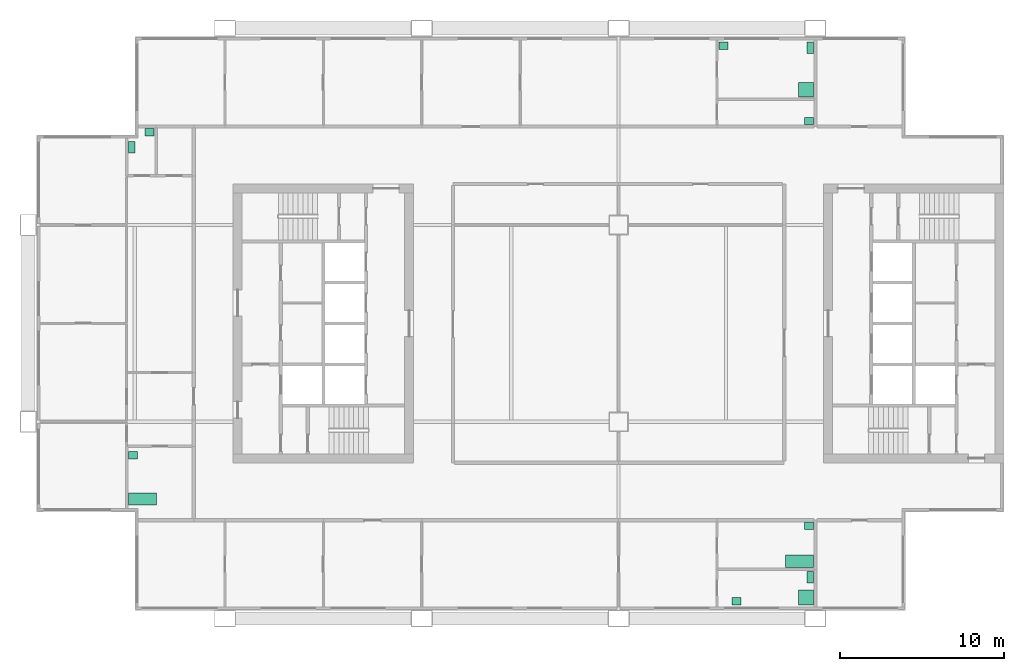
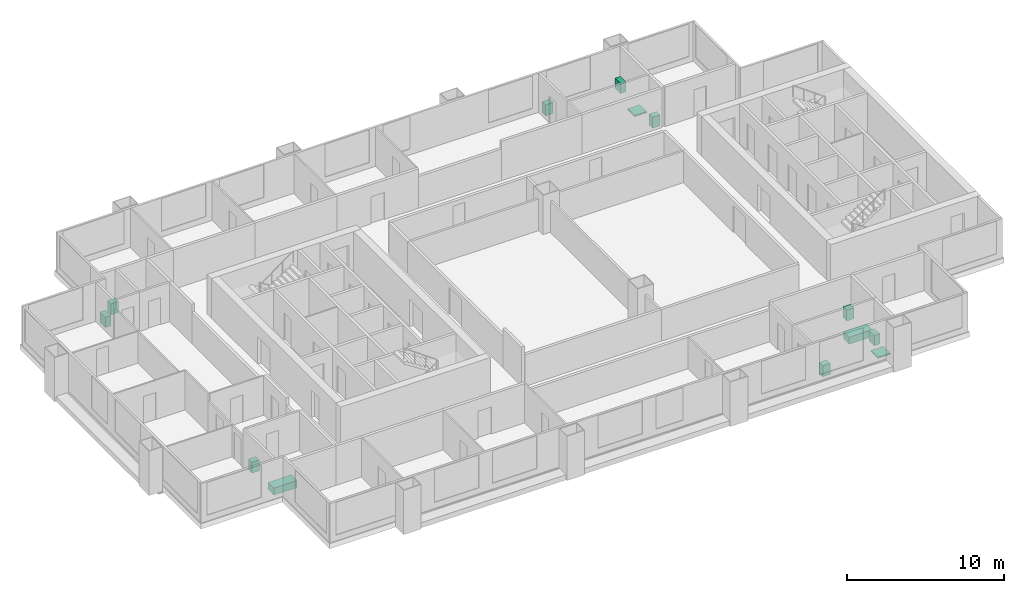
# One storey, part 8 of 8: 13 sanitary terminals.
"""IFC4 building model written with IfcOpenShell, lengths in metres."""

import ifcopenshell
import ifcopenshell.guid

model = None  # the IFC model being written
_history = None  # IfcOwnerHistory: only IFC2X3 demands one
_inside = {}  # id of a spatial element -> (the spatial element, [elements in it])
_under = {}  # id of a project, library or spatial element -> (it, [spatial elements below it])
_declared = {}  # id of a project -> (the project, [libraries it declares])
_typed = {}  # id of a type object -> (the type object, [elements of that type])
_made_of = {}  # id of a material, layer set ... -> (it, [elements and type objects made of it])


def new_model(schema):
    """Start an empty IFC model of exactly this schema.

    Asked for "IFC4X3", IfcOpenShell would pick the latest addendum, in which some entities
    have other attributes; the version numbers below select the first issue.
    IFC2X3 requires an IfcOwnerHistory on every rooted entity: one is made here for all.
    """
    global model, _history
    if schema == "IFC4X3":
        model = ifcopenshell.file(schema_version=(4, 3, 0, 0))
    else:
        model = ifcopenshell.file(schema=schema)
    _inside.clear()
    _under.clear()
    _declared.clear()
    _typed.clear()
    _made_of.clear()
    _history = None
    if model.schema == "IFC2X3":
        org = make("IfcOrganization", Name="unknown")
        user = make(
            "IfcPersonAndOrganization",
            ThePerson=make("IfcPerson", FamilyName="unknown"),
            TheOrganization=org,
        )
        app = make(
            "IfcApplication",
            ApplicationDeveloper=org,
            Version="unknown",
            ApplicationFullName="unknown",
            ApplicationIdentifier="unknown",
        )
        _history = make(
            "IfcOwnerHistory",
            OwningUser=user,
            OwningApplication=app,
            ChangeAction="ADDED",
            CreationDate=0,
        )
    return model


def make(cls, **values):
    """One entity of the class cls with the attributes given. An attribute that is None is left unset."""
    return model.create_entity(
        cls, **{name: value for name, value in values.items() if value is not None}
    )


def rooted(cls, **values):
    """An entity with a GlobalId (a new one), such as an element, a storey or a relation."""
    return make(cls, GlobalId=ifcopenshell.guid.new(), OwnerHistory=_history, **values)


def si_unit(unit_type, name, prefix=None):
    """IfcSIUnit, for example si_unit("LENGTHUNIT", "METRE", prefix="MILLI")."""
    return make("IfcSIUnit", UnitType=unit_type, Prefix=prefix, Name=name)


def assignment(units):
    """IfcUnitAssignment: the units of a project."""
    return None if units is None else make("IfcUnitAssignment", Units=units)


def point(xyz):
    """IfcCartesianPoint."""
    return None if xyz is None else make("IfcCartesianPoint", Coordinates=xyz)


def direction(xyz):
    """IfcDirection."""
    return None if xyz is None else make("IfcDirection", DirectionRatios=xyz)


def frame(location, z_axis=None, x_axis=None):
    """IfcAxis2Placement3D, a coordinate frame: its origin and axes. An axis left out is left unset."""
    return make(
        "IfcAxis2Placement3D",
        Location=point(location),
        Axis=direction(z_axis),
        RefDirection=direction(x_axis),
    )


def frame_2d(location, x_axis=None):
    """IfcAxis2Placement2D, a coordinate frame in the plane: its origin and x axis."""
    return make(
        "IfcAxis2Placement2D", Location=point(location), RefDirection=direction(x_axis)
    )


def origin():
    """The frame at (0, 0, 0) with its axes left unset."""
    return frame((0.0, 0.0, 0.0))


def origin_2d():
    """The frame at (0, 0) in the plane with its x axis left unset."""
    return frame_2d((0.0, 0.0))


def place(relative_to, where):
    """IfcLocalPlacement: puts the frame where relative to a parent placement (None: the world)."""
    return make(
        "IfcLocalPlacement", PlacementRelTo=relative_to, RelativePlacement=where
    )


def context(
    kind, dimensions, precision=None, world=None, true_north=None, identifier=None
):
    """IfcGeometricRepresentationContext, for example the 3D "Model" context."""
    return make(
        "IfcGeometricRepresentationContext",
        ContextIdentifier=identifier,
        ContextType=kind,
        CoordinateSpaceDimension=dimensions,
        Precision=precision,
        WorldCoordinateSystem=world,
        TrueNorth=true_north,
    )


def subcontext(parent, identifier, kind, view, scale=None):
    """IfcGeometricRepresentationSubContext, for example "Body" below "Model"."""
    return make(
        "IfcGeometricRepresentationSubContext",
        ContextIdentifier=identifier,
        ContextType=kind,
        ParentContext=parent,
        TargetScale=scale,
        TargetView=view,
    )


def project(units=None, contexts=None):
    """IfcProject with its units and contexts."""
    return rooted(
        "IfcProject",
        Name="project",
        RepresentationContexts=contexts,
        UnitsInContext=assignment(units),
    )


def spatial(cls, under=None, at=None, **own):
    """A site, building, storey or space (cls), placed at a placement, below another one or the project."""
    s = rooted(cls, ObjectPlacement=at, **own)
    if under is not None:
        _under.setdefault(under.id(), (under, []))[1].append(s)
    return s


def profile(cls, at=None, kind="AREA", **sizes):
    """A parametric profile (cls). Its sizes go by their IFC names, for example OverallWidth=200.0."""
    return make(cls, ProfileType=kind, Position=at, **sizes)


def rectangle(**sizes):
    """IfcRectangleProfileDef."""
    return profile("IfcRectangleProfileDef", **sizes)


def extrude(swept, where, along, depth):
    """IfcExtrudedAreaSolid: the profile swept, set in the frame where, extruded along a direction by depth."""
    return make(
        "IfcExtrudedAreaSolid",
        SweptArea=swept,
        Position=where,
        ExtrudedDirection=direction(along),
        Depth=depth,
    )


def shape(context_of_items, identifier, shape_type, items):
    """IfcShapeRepresentation: the items that make up one representation, for example the "Body"."""
    return make(
        "IfcShapeRepresentation",
        ContextOfItems=context_of_items,
        RepresentationIdentifier=identifier,
        RepresentationType=shape_type,
        Items=items,
    )


def material(Name=None, Category=None):
    """IfcMaterial."""
    return make("IfcMaterial", Name=Name, Category=Category)


def made_of(thing, what):
    """Note that an element or type object is made of a material, layer set ...; save() writes the relation."""
    if what is not None:
        _made_of.setdefault(what.id(), (what, []))[1].append(thing)
    return thing


def type_object(cls, material=None, **own):
    """A type object (cls), such as IfcWallType, which elements share."""
    return made_of(rooted(cls, **own), material)


def element(
    cls,
    number,
    at=None,
    inside=None,
    cuts=None,
    type_object=None,
    material=None,
    context=None,
    identifier="Body",
    shape_type=None,
    held_by="IfcProductDefinitionShape",
    body=None,
    shapes=None,
    **own,
):
    """One element of the class cls, such as IfcWall. Its Tag is "e" and its number.

    at: its placement. inside: the storey or other place that contains it. cuts: it is an
    opening in that element (IfcRelVoidsElement). A single representation is given by context,
    identifier, shape_type and body (its items); several are given by shapes. held_by: the class
    of the entity that holds the representations. save() writes the other relations.
    """
    e = rooted(cls, Tag="e%d" % number, ObjectPlacement=at, **own)
    if body is not None:
        shapes = [shape(context, identifier, shape_type, body)]
    if shapes is not None:
        e.Representation = make(held_by, Representations=shapes)
    if inside is not None:
        _inside.setdefault(inside.id(), (inside, []))[1].append(e)
    if cuts is not None:
        rooted(
            "IfcRelVoidsElement", RelatingBuildingElement=cuts, RelatedOpeningElement=e
        )
    if type_object is not None:
        _typed.setdefault(type_object.id(), (type_object, []))[1].append(e)
    return made_of(e, material)


def aggregate(whole, parts):
    """IfcRelAggregates: a whole, such as a stair, and the parts it consists of."""
    return rooted("IfcRelAggregates", RelatingObject=whole, RelatedObjects=parts)


def save(model, path):
    """Write the relations noted so far, then the file.

    IfcRelAggregates (storeys below a building ...), IfcRelContainedInSpatialStructure (elements
    in a storey), IfcRelDefinesByType, IfcRelAssociatesMaterial and IfcRelDeclares: one each for
    every whole, place, type object, material and project.
    """
    for whole, parts in _under.values():
        aggregate(whole, parts)
    for where, things in _inside.values():
        rooted(
            "IfcRelContainedInSpatialStructure",
            RelatedElements=things,
            RelatingStructure=where,
        )
    for kind, things in _typed.values():
        rooted("IfcRelDefinesByType", RelatedObjects=things, RelatingType=kind)
    for what, things in _made_of.values():
        rooted("IfcRelAssociatesMaterial", RelatedObjects=things, RelatingMaterial=what)
    for by, libraries in _declared.values():
        rooted("IfcRelDeclares", RelatingContext=by, RelatedDefinitions=libraries)
    model.write(path)


model = new_model("IFC4")

# Units and contexts
model_context = context("Model", 3, precision=1e-05, world=origin(), true_north=direction((0.0, 1.0)))
body_context = subcontext(model_context, "Body", "Model", "MODEL_VIEW")
ifc_project = project(units=[si_unit("LENGTHUNIT", "METRE"), si_unit("AREAUNIT", "SQUARE_METRE"), si_unit("VOLUMEUNIT", "CUBIC_METRE"), si_unit("PLANEANGLEUNIT", "RADIAN"), si_unit("MASSUNIT", "GRAM", prefix="KILO")], contexts=[model_context])

# Site, building, storey
site_placement = place(None, origin())
site = spatial("IfcSite", under=ifc_project, at=site_placement, CompositionType="ELEMENT")
building_placement = place(site_placement, origin())
building = spatial("IfcBuilding", under=site, at=building_placement, Name="Kitamizu Gate Tower and Museum", CompositionType="ELEMENT")
storey_placement = place(building_placement, frame((0.0, 0.0, 172.050048828125)))
storey = spatial("IfcBuildingStorey", under=building, at=storey_placement, Name="L45", CompositionType="ELEMENT", Elevation=172.050048828125)

# Sanitary terminals
ifc_material_1 = material(Name="Acrylic")
sanitary_terminal_type_1 = type_object("IfcSanitaryTerminalType", Name="Bath", PredefinedType="BATH", material=ifc_material_1)
for number, where, z_axis, x_axis, name in (
    (1, (47.030029296875, 15.4951171875, 0.0009765625), (0.0, 0.0, 1.0), (1.0, 0.0, 0.0), "Bath Bathroom 45A"),
    (2, (6.969970703125, 19.294921875, 0.0009765625), (0.0, 0.0, 1.0), (1.0, 0.0, 0.0), "Bath Bathroom 45E"),
):
    element("IfcSanitaryTerminal", number, at=place(storey_placement, frame(where, z_axis=z_axis, x_axis=x_axis)), inside=storey, type_object=sanitary_terminal_type_1, Name=name, PredefinedType="BATH", context=body_context, shape_type="SweptSolid", body=[
        extrude(rectangle(XDim=1.699951171875, YDim=0.75, at=origin_2d()), origin(), (0.0, 0.0, 1.0), 0.550048828125),
    ])
ifc_material_2 = material(Name="Acrylic")
sanitary_terminal_type_2 = type_object("IfcSanitaryTerminalType", Name="Shower tray", PredefinedType="SHOWER", material=ifc_material_2)
for number, where, z_axis, x_axis, name in (
    (3, (47.429931640625, 13.2900390625, 0.0009765625), (0.0, 0.0, 1.0), (1.0, 0.0, 0.0), "Shower tray En-suite bathroom and WC 45A"),
    (4, (47.429931640625, 44.25, 0.0009765625), (0.0, 0.0, 1.0), (1.0, 0.0, 0.0), "Shower tray En-suite bathroom and WC 45C"),
):
    element("IfcSanitaryTerminal", number, at=place(storey_placement, frame(where, z_axis=z_axis, x_axis=x_axis)), inside=storey, type_object=sanitary_terminal_type_2, Name=name, PredefinedType="SHOWER", context=body_context, shape_type="SweptSolid", body=[
        extrude(rectangle(XDim=0.89990234375, YDim=0.89990234375, at=origin_2d()), origin(), (0.0, 0.0, 1.0), 0.10009765625),
    ])
ifc_material_3 = material(Name="Vitreous china")
sanitary_terminal_type_3 = type_object("IfcSanitaryTerminalType", Name="Wash hand basin", PredefinedType="WASHHANDBASIN", material=ifc_material_3)
for number, where, z_axis, x_axis, name in (
    (5, (43.195068359375, 13.06494140625, 0.0009765625), (0.0, 0.0, 1.0), (1.0, 0.0, 0.0), "Wash hand basin En-suite bathroom and WC 45A"),
    (6, (47.60498046875, 17.655029296875, 0.0009765625), (0.0, 0.0, 1.0), (1.0, 0.0, 0.0), "Wash hand basin Bathroom 45A"),
    (7, (42.39501953125, 46.93505859375, 0.0009765625), (0.0, 0.0, 1.0), (1.0, 0.0, 0.0), "Wash hand basin En-suite bathroom and WC 45C"),
    (8, (47.60498046875, 42.344970703125, 0.0009765625), (0.0, 0.0, 1.0), (1.0, 0.0, 0.0), "Wash hand basin Wash room 45C"),
    (9, (6.39501953125, 21.955078125, 0.0009765625), (0.0, 0.0, 1.0), (1.0, 0.0, 0.0), "Wash hand basin Bathroom 45E"),
    (10, (7.405029296875, 41.655029296875, 0.0009765625), (0.0, 0.0, 1.0), (1.0, 0.0, 0.0), "Wash hand basin WC 45E"),
):
    element("IfcSanitaryTerminal", number, at=place(storey_placement, frame(where, z_axis=z_axis, x_axis=x_axis)), inside=storey, type_object=sanitary_terminal_type_3, Name=name, PredefinedType="WASHHANDBASIN", context=body_context, shape_type="SweptSolid", body=[
        extrude(rectangle(XDim=0.550048828125, YDim=0.449951171875, at=origin_2d()), origin(), (0.0, 0.0, 1.0), 0.85009765625),
    ])
ifc_material_4 = material(Name="Vitreous china")
sanitary_terminal_type_4 = type_object("IfcSanitaryTerminalType", Name="Water closet", PredefinedType="TOILETPAN", material=ifc_material_4)
for number, where, z_axis, x_axis, name in (
    (11, (47.679931640625, 14.530029296875, 0.0009765625), (0.0, 0.0, 1.0), (1.0, 0.0, 0.0), "Water closet En-suite bathroom and WC 45A"),
    (12, (47.679931640625, 46.81005859375, 0.0009765625), (0.0, 0.0, 1.0), (1.0, 0.0, 0.0), "Water closet En-suite bathroom and WC 45C"),
    (13, (6.320068359375, 40.72998046875, 0.0009765625), (0.0, 0.0, 1.0), (1.0, 0.0, 0.0), "Water closet WC 45E"),
):
    element("IfcSanitaryTerminal", number, at=place(storey_placement, frame(where, z_axis=z_axis, x_axis=x_axis)), inside=storey, type_object=sanitary_terminal_type_4, Name=name, PredefinedType="TOILETPAN", context=body_context, shape_type="SweptSolid", body=[
        extrude(rectangle(XDim=0.39990234375, YDim=0.699951171875, at=origin_2d()), origin(), (0.0, 0.0, 1.0), 0.800048828125),
    ])

save(model, "model.ifc")
